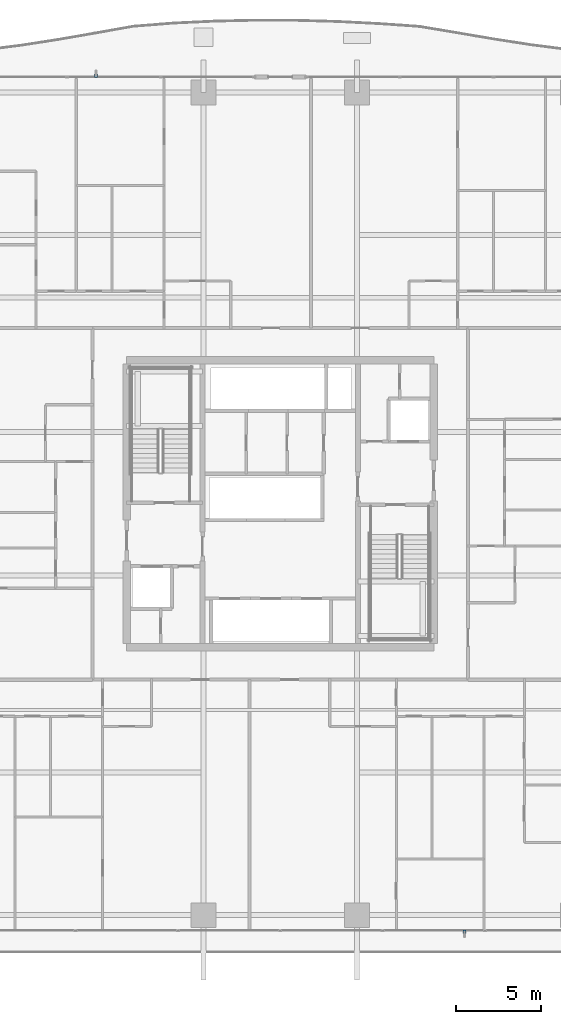
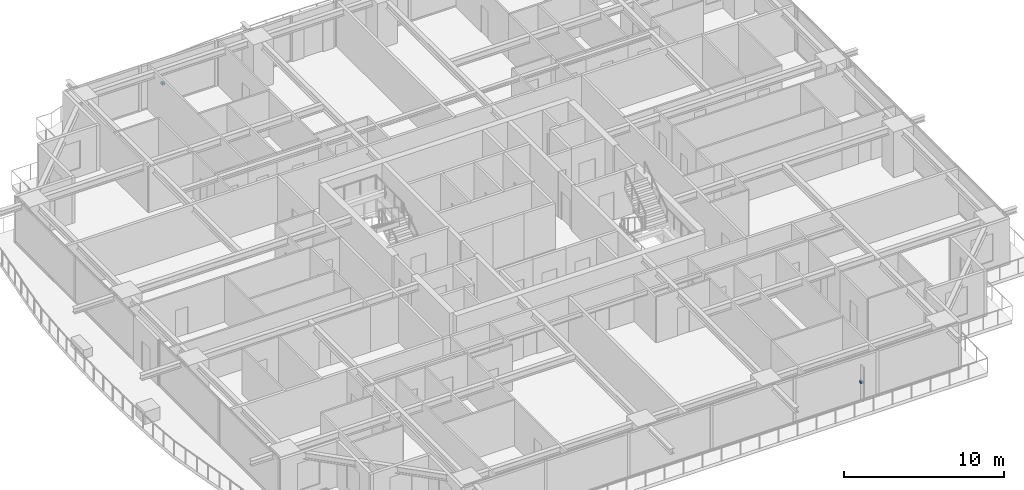
# One storey, part 29 of 36: 2 discrete accessories.
"""IFC4 building model written with IfcOpenShell, lengths in metres."""

from ifc_helpers import new_model, si_unit, direction, frame, origin, origin_2d, place, context, subcontext, project, spatial, rectangle, extrude, source, transform, mapped, material, type_object, element, save


model = new_model("IFC4")

# Units and contexts
model_context = context("Model", 3, precision=1e-05, world=origin(), true_north=direction((0.0, 1.0)))
body_context = subcontext(model_context, "Body", "Model", "MODEL_VIEW")
ifc_project = project(units=[si_unit("LENGTHUNIT", "METRE"), si_unit("AREAUNIT", "SQUARE_METRE"), si_unit("VOLUMEUNIT", "CUBIC_METRE"), si_unit("PLANEANGLEUNIT", "RADIAN"), si_unit("MASSUNIT", "GRAM", prefix="KILO")], contexts=[model_context])

# Site, building, storey
site_placement = place(None, origin())
site = spatial("IfcSite", under=ifc_project, at=site_placement, CompositionType="ELEMENT")
building_placement = place(site_placement, origin())
building = spatial("IfcBuilding", under=site, at=building_placement, Name="Serunith Strait Residences", CompositionType="ELEMENT")
storey_placement = place(building_placement, frame((0.0, 0.0, 41.699951171875)))
storey = spatial("IfcBuildingStorey", under=building, at=storey_placement, Name="L09", CompositionType="ELEMENT", Elevation=41.699951171875)

# Discrete accessories
ifc_material = material(Name="Stainless Steel Facade Cleat Bracket", Category="steel")
discrete_accessory_type = type_object("IfcDiscreteAccessoryType", Name="ACC-FIN-BRACKET", PredefinedType="USERDEFINED", material=ifc_material)
shared_shape = source(origin(), body_context, "Body", "SweptSolid", [
    extrude(rectangle(XDim=0.179931640625, YDim=0.219970703125, at=origin_2d()), origin(), (0.0, 0.0, 1.0), 0.179931640625),
])
for number, where, z_axis, x_axis, name in (
    (1, (43.199951171875, 0.1201171875, 1.41015625), (0.0, 0.0, 1.0), (1.0, 0.0, 0.0), "L09 Solar Fin Cleat Bracket S"),
    (2, (21.60009765625, 50.280029296875, 1.41015625), (0.0, 0.0, 1.0), (1.0, 0.0, 0.0), "L09 Solar Fin Cleat Bracket N"),
):
    element("IfcDiscreteAccessory", number, at=place(storey_placement, frame(where, z_axis=z_axis, x_axis=x_axis)), inside=storey, type_object=discrete_accessory_type, Name=name, ObjectType="BRACKET", PredefinedType="USERDEFINED", context=body_context, shape_type="MappedRepresentation", body=[
        mapped(shared_shape, transform((0.0, 0.0, 0.0), scale=1.0)),
    ])

save(model, "model.ifc")
